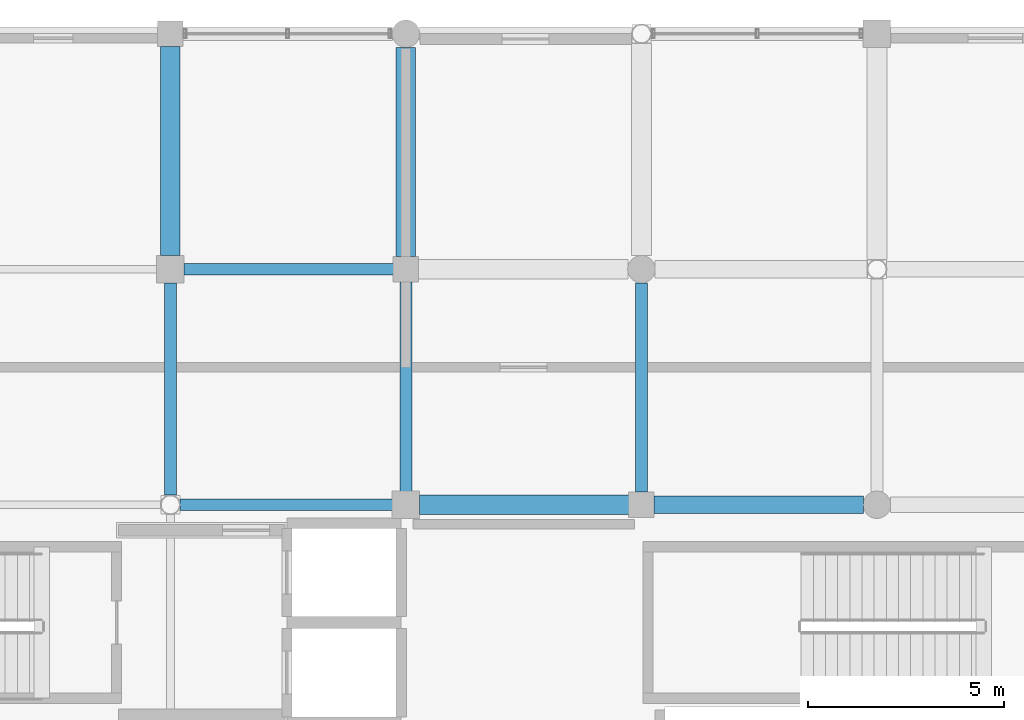
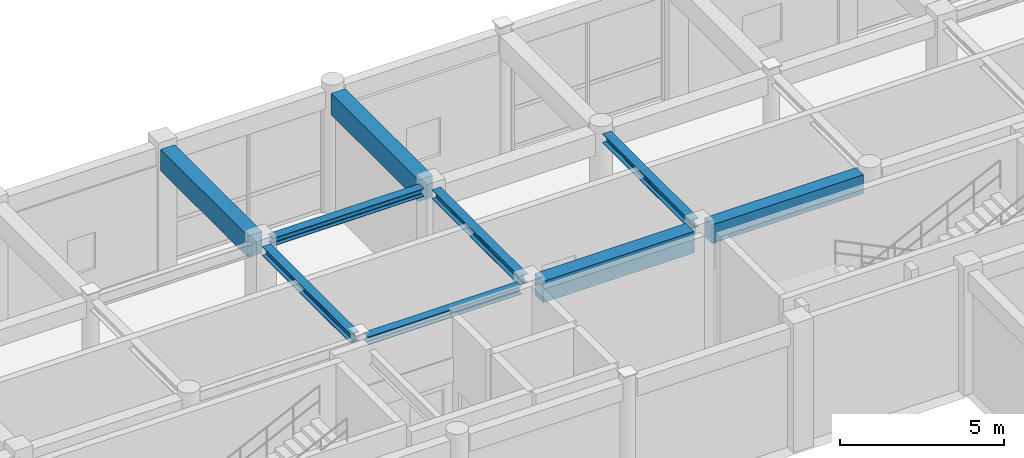
# One storey, part 74 of 112: 9 beams.
"""IFC4 building model written with IfcOpenShell, lengths in metres."""

from ifc_helpers import new_model, si_unit, direction, frame, origin, origin_2d, place, context, subcontext, project, spatial, rectangle, i_section, extrude, material, material_profile, profile_set, type_object, element, save


model = new_model("IFC4")

# Units and contexts
model_context = context("Model", 3, precision=1e-05, world=origin(), true_north=direction((0.0, 1.0)))
body_context = subcontext(model_context, "Body", "Model", "MODEL_VIEW")
ifc_project = project(units=[si_unit("LENGTHUNIT", "METRE"), si_unit("AREAUNIT", "SQUARE_METRE"), si_unit("VOLUMEUNIT", "CUBIC_METRE"), si_unit("PLANEANGLEUNIT", "RADIAN"), si_unit("MASSUNIT", "GRAM", prefix="KILO"), si_unit("THERMODYNAMICTEMPERATUREUNIT", "KELVIN"), si_unit("POWERUNIT", "WATT")], contexts=[model_context])

# Site, building, storey
site_placement = place(None, origin())
site = spatial("IfcSite", under=ifc_project, at=site_placement, CompositionType="ELEMENT")
building_placement = place(site_placement, origin())
building = spatial("IfcBuilding", under=site, at=building_placement, Name="Phaisarnlok Congress Hotel", CompositionType="ELEMENT")
storey_placement = place(building_placement, frame((0.0, 0.0, 19.800048828125)))
storey = spatial("IfcBuildingStorey", under=building, at=storey_placement, Name="L04", CompositionType="ELEMENT", Elevation=19.800048828125)

# Beams
ifc_material_1 = material(Name="Concrete C40/50", Category="concrete")
ifc_material_profile_1 = material_profile(ifc_material_1, rectangle(XDim=0.449951171875, YDim=0.699951171875, at=origin_2d()), Name="RC 450x700")
ifc_profile_set_1 = profile_set([ifc_material_profile_1], Name="Concrete C40/50")
beam_type_1 = type_object("IfcBeamType", Name="BM-RC-450x700", PredefinedType="BEAM", material=ifc_profile_set_1)
beam_1_placement = place(storey_placement, frame((156.320068359375, 114.0, 4.199951171875), z_axis=(1.0, 0.0, 0.0), x_axis=(0.0, 1.0, 0.0)))
element("IfcBeam", 1, at=beam_1_placement, inside=storey, type_object=beam_type_1, Name="Beam B-03", PredefinedType="BEAM", context=body_context, shape_type="SweptSolid", body=[
    extrude(rectangle(XDim=0.449951171875, YDim=0.699951171875, at=origin_2d()), origin(), (0.0, 0.0, 1.0), 5.3349609375),
])
ifc_material_profile_2 = material_profile(ifc_material_1, rectangle(XDim=0.5, YDim=0.800048828125, at=origin_2d()), Name="RC 500x800")
ifc_profile_set_2 = profile_set([ifc_material_profile_2], Name="Concrete C40/50")
beam_type_2 = type_object("IfcBeamType", Name="BM-RC-500x800", PredefinedType="BEAM", material=ifc_profile_set_2)
for number, where, z_axis, x_axis, name in (
    (2, (144.0, 120.344970703125, 4.14990234375), (0.0, 1.0, 0.0), (-1.0, 0.0, 0.0), "Beam B-04"),
    (3, (150.344970703125, 114.0, 4.14990234375), (1.0, 0.0, 0.0), (0.0, 1.0, 0.0), "Beam B-04"),
    (4, (150.0, 120.320068359375, 4.14990234375), (0.0, 1.0, 0.0), (-1.0, 0.0, 0.0), "Beam B-04"),
):
    element("IfcBeam", number, at=place(storey_placement, frame(where, z_axis=z_axis, x_axis=x_axis)), inside=storey, type_object=beam_type_2, Name=name, PredefinedType="BEAM", context=body_context, shape_type="SweptSolid", body=[
        extrude(rectangle(XDim=0.5, YDim=0.800048828125, at=origin_2d()), origin(), (0.0, 0.0, 1.0), 5.3349609375),
    ])
ifc_material_2 = material(Name="Steel S355", Category="steel")
ifc_material_profile_3 = material_profile(ifc_material_2, i_section(OverallWidth=0.300048828125, OverallDepth=0.2900390625, WebThickness=0.008544921875, FlangeThickness=0.013916015625, FilletRadius=0.027099609375, at=origin_2d()), Name="HEA 300")
ifc_profile_set_3 = profile_set([ifc_material_profile_3], Name="Steel S355")
beam_type_3 = type_object("IfcBeamType", Name="BM-STL-HEA300", PredefinedType="BEAM", material=ifc_profile_set_3)
beam_2_placement = place(storey_placement, frame((144.2490234375, 114.0, 4.405029296875), z_axis=(1.0, 0.0, 0.0), x_axis=(0.0, 1.0, 0.0)))
element("IfcBeam", 5, at=beam_2_placement, inside=storey, type_object=beam_type_3, Name="Beam SB-05", PredefinedType="BEAM", context=body_context, shape_type="SweptSolid", body=[
    extrude(i_section(OverallWidth=0.300048828125, OverallDepth=0.2900390625, WebThickness=0.008544921875, FlangeThickness=0.013916015625, FilletRadius=0.027099609375, at=origin_2d()), origin(), (0.0, 0.0, 1.0), 5.406005859375),
])
beam_3_placement = place(storey_placement, frame((144.344970703125, 120.0, 4.405029296875), z_axis=(1.0, 0.0, 0.0), x_axis=(0.0, 1.0, 0.0)))
element("IfcBeam", 6, at=beam_3_placement, inside=storey, type_object=beam_type_3, Name="Beam SB-05", PredefinedType="BEAM", context=body_context, shape_type="SweptSolid", body=[
    extrude(i_section(OverallWidth=0.300048828125, OverallDepth=0.2900390625, WebThickness=0.008544921875, FlangeThickness=0.013916015625, FilletRadius=0.027099609375, at=origin_2d()), origin(), (0.0, 0.0, 1.0), 5.3349609375),
])
ifc_material_profile_4 = material_profile(ifc_material_2, i_section(OverallWidth=0.300048828125, OverallDepth=0.340087890625, WebThickness=0.011962890625, FlangeThickness=0.021484375, FilletRadius=0.027099609375, at=origin_2d()), Name="HEB 340")
ifc_profile_set_4 = profile_set([ifc_material_profile_4], Name="Steel S355")
beam_type_4 = type_object("IfcBeamType", Name="BM-STL-HEB340", PredefinedType="BEAM", material=ifc_profile_set_4)
beam_4_placement = place(storey_placement, frame((144.0, 114.2490234375, 4.3798828125), z_axis=(0.0, 1.0, 0.0), x_axis=(-1.0, 0.0, 0.0)))
element("IfcBeam", 7, at=beam_4_placement, inside=storey, type_object=beam_type_4, Name="Beam SB-07", PredefinedType="BEAM", context=body_context, shape_type="SweptSolid", body=[
    extrude(i_section(OverallWidth=0.300048828125, OverallDepth=0.340087890625, WebThickness=0.011962890625, FlangeThickness=0.021484375, FilletRadius=0.027099609375, at=origin_2d()), origin(), (0.0, 0.0, 1.0), 5.406005859375),
])
for number, where, z_axis, x_axis, name in (
    (8, (150.0, 114.344970703125, 4.3798828125), (0.0, 1.0, 0.0), (-1.0, 0.0, 0.0), "Beam SB-07"),
    (9, (156.0, 114.320068359375, 4.3798828125), (0.0, 1.0, 0.0), (-1.0, 0.0, 0.0), "Beam SB-07"),
):
    element("IfcBeam", number, at=place(storey_placement, frame(where, z_axis=z_axis, x_axis=x_axis)), inside=storey, type_object=beam_type_4, Name=name, PredefinedType="BEAM", context=body_context, shape_type="SweptSolid", body=[
        extrude(i_section(OverallWidth=0.300048828125, OverallDepth=0.340087890625, WebThickness=0.011962890625, FlangeThickness=0.021484375, FilletRadius=0.027099609375, at=origin_2d()), origin(), (0.0, 0.0, 1.0), 5.3349609375),
    ])

save(model, "model.ifc")
